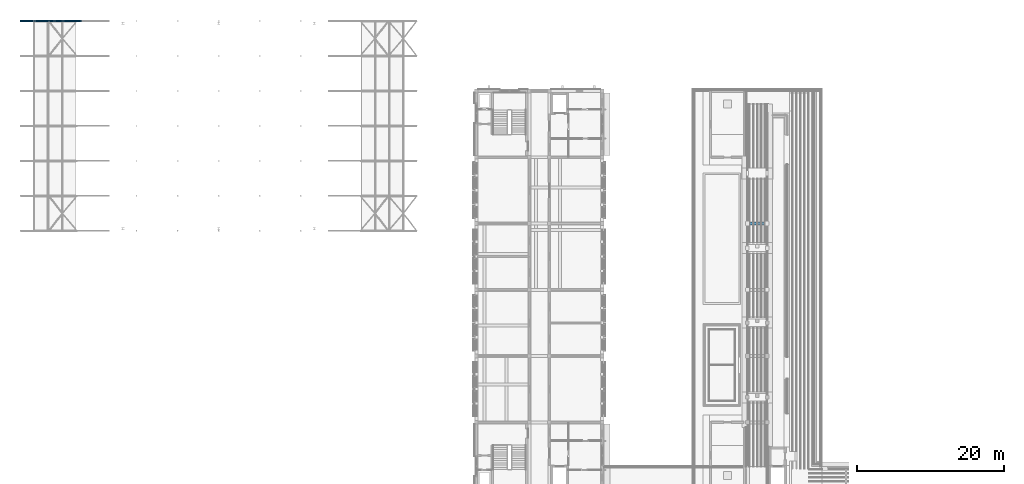
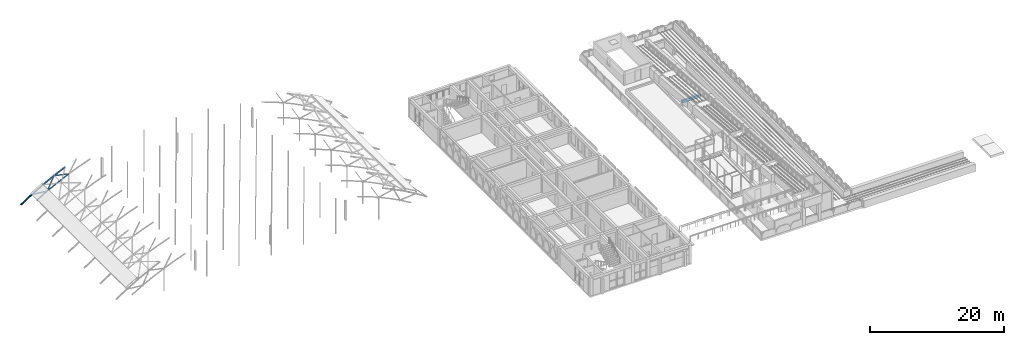
# One storey, part 22 of 50: 10 members, 1 beam.
"""IFC4 building model written with IfcOpenShell, lengths in metres."""

from ifc_helpers import new_model, si_unit, direction, frame, origin, origin_2d, place, context, subcontext, project, spatial, polyline, hollow_circle, outline, extrude, material, material_profile, profile_set, type_object, element, save


model = new_model("IFC4")

# Units and contexts
model_context = context("Model", 3, precision=1e-05, world=origin(), true_north=direction((0.0, 1.0)))
body_context = subcontext(model_context, "Body", "Model", "MODEL_VIEW")
ifc_project = project(units=[si_unit("LENGTHUNIT", "METRE"), si_unit("AREAUNIT", "SQUARE_METRE"), si_unit("VOLUMEUNIT", "CUBIC_METRE"), si_unit("PLANEANGLEUNIT", "RADIAN"), si_unit("MASSUNIT", "GRAM", prefix="KILO")], contexts=[model_context])

# Site, building, storey
site_placement = place(None, origin())
site = spatial("IfcSite", under=ifc_project, at=site_placement, CompositionType="ELEMENT")
building_placement = place(site_placement, origin())
building = spatial("IfcBuilding", under=site, at=building_placement, Name="Elbe Cascade School", CompositionType="ELEMENT")
storey_placement = place(building_placement, frame((0.0, 0.0, 15.300048828125)))
storey = spatial("IfcBuildingStorey", under=building, at=storey_placement, Name="L04", CompositionType="ELEMENT", Elevation=15.300048828125)

# Members
ifc_material_1 = material(Name="Steel S355J2H", Category="steel")
ifc_material_profile_1 = material_profile(ifc_material_1, hollow_circle(Radius=0.109619140625, WallThickness=0.012451171875, at=origin_2d()), Name="CHS 219.1x12.5")
ifc_profile_set_1 = profile_set([ifc_material_profile_1], Name="Steel S355J2H")
member_type_1 = type_object("IfcMemberType", Name="Hall rib bottom chord CHS 219.1x12.5", PredefinedType="CHORD", material=ifc_profile_set_1)
member_1_placement = place(storey_placement, frame((9.857177734375, 69.5, -0.509521484375), z_axis=(0.864836718866, 0.0, 0.502053233931), x_axis=(0.0, 1.0, 0.0)))
element("IfcMember", 1, at=member_1_placement, inside=storey, type_object=member_type_1, Name="Hall rib bottom chord CHS 219.1x12.5 M3", PredefinedType="CHORD", context=body_context, shape_type="SweptSolid", body=[
    extrude(hollow_circle(Radius=0.109619140625, WallThickness=0.012451171875, at=origin_2d()), origin(), (0.0, 0.0, 1.0), 2.1474609375),
])
member_2_placement = place(storey_placement, frame((11.71435546875, 69.5, 0.568603515625), z_axis=(0.886913089016, 0.0, 0.461936329523), x_axis=(0.0, 1.0, 0.0)))
element("IfcMember", 2, at=member_2_placement, inside=storey, type_object=member_type_1, Name="Hall rib bottom chord CHS 219.1x12.5 M3", PredefinedType="CHORD", context=body_context, shape_type="SweptSolid", body=[
    extrude(hollow_circle(Radius=0.109619140625, WallThickness=0.012451171875, at=origin_2d()), origin(), (0.0, 0.0, 1.0), 2.093994140625),
])
member_3_placement = place(storey_placement, frame((13.571533203125, 69.5, 1.535888671875), z_axis=(0.90670626979, 0.0, 0.421762658759), x_axis=(0.0, 1.0, 0.0)))
element("IfcMember", 3, at=member_3_placement, inside=storey, type_object=member_type_1, Name="Hall rib bottom chord CHS 219.1x12.5 M3", PredefinedType="CHORD", context=body_context, shape_type="SweptSolid", body=[
    extrude(hollow_circle(Radius=0.109619140625, WallThickness=0.012451171875, at=origin_2d()), origin(), (0.0, 0.0, 1.0), 2.048095703125),
])
ifc_material_2 = material(Name="Steel S355J2H", Category="steel")
ifc_material_profile_2 = material_profile(ifc_material_2, hollow_circle(Radius=0.136474609375, WallThickness=0.012451171875, at=origin_2d()), Name="CHS 273x12.5")
ifc_profile_set_2 = profile_set([ifc_material_profile_2], Name="Steel S355J2H")
member_type_2 = type_object("IfcMemberType", Name="Hall rib top chord CHS 273x12.5", PredefinedType="CHORD", material=ifc_profile_set_2)
member_4_placement = place(storey_placement, frame((7.1005859375, 69.5, -0.384765625), z_axis=(0.840219764602, 0.0, 0.542246020891), x_axis=(0.0, 1.0, 0.0)))
element("IfcMember", 4, at=member_4_placement, inside=storey, type_object=member_type_2, Name="Hall rib top chord CHS 273x12.5 M2", PredefinedType="CHORD", context=body_context, shape_type="SweptSolid", body=[
    extrude(hollow_circle(Radius=0.136474609375, WallThickness=0.012451171875, at=origin_2d()), origin(), (0.0, 0.0, 1.0), 2.286865234375),
])
member_5_placement = place(storey_placement, frame((9.02197265625, 69.5, 0.855224609375), z_axis=(0.86482126995, 0.0, 0.502079845286), x_axis=(0.0, 1.0, 0.0)))
element("IfcMember", 5, at=member_5_placement, inside=storey, type_object=member_type_2, Name="Hall rib top chord CHS 273x12.5 M2", PredefinedType="CHORD", context=body_context, shape_type="SweptSolid", body=[
    extrude(hollow_circle(Radius=0.136474609375, WallThickness=0.012451171875, at=origin_2d()), origin(), (0.0, 0.0, 1.0), 2.2216796875),
])
member_6_placement = place(storey_placement, frame((10.943359375, 69.5, 1.970703125), z_axis=(0.886958329454, 0.0, 0.461849457954), x_axis=(0.0, 1.0, 0.0)))
element("IfcMember", 6, at=member_6_placement, inside=storey, type_object=member_type_2, Name="Hall rib top chord CHS 273x12.5 M2", PredefinedType="CHORD", context=body_context, shape_type="SweptSolid", body=[
    extrude(hollow_circle(Radius=0.136474609375, WallThickness=0.012451171875, at=origin_2d()), origin(), (0.0, 0.0, 1.0), 2.166259765625),
])
member_7_placement = place(storey_placement, frame((12.86474609375, 69.5, 2.97119140625), z_axis=(0.906697546089, 0.0, 0.421781412482), x_axis=(0.0, 1.0, 0.0)))
element("IfcMember", 7, at=member_7_placement, inside=storey, type_object=member_type_2, Name="Hall rib top chord CHS 273x12.5 M2", PredefinedType="CHORD", context=body_context, shape_type="SweptSolid", body=[
    extrude(hollow_circle(Radius=0.136474609375, WallThickness=0.012451171875, at=origin_2d()), origin(), (0.0, 0.0, 1.0), 2.119140625),
])
ifc_material_3 = material(Name="Steel S355J2H", Category="steel")
ifc_material_profile_3 = material_profile(ifc_material_3, hollow_circle(Radius=0.06982421875, WallThickness=0.008056640625, at=origin_2d()), Name="CHS 139.7x8")
ifc_profile_set_3 = profile_set([ifc_material_profile_3], Name="Steel S355J2H")
member_type_3 = type_object("IfcMemberType", Name="Hall rib web CHS 139.7x8", PredefinedType="BRACE", material=ifc_profile_set_3)
member_8_placement = place(storey_placement, frame((9.02197265625, 69.5, 0.855224609375), z_axis=(0.994381241781, 0.0, -0.1058581409), x_axis=(0.0, 1.0, 0.0)))
element("IfcMember", 8, at=member_8_placement, inside=storey, type_object=member_type_3, Name="Hall rib web CHS 139.7x8 M4", PredefinedType="BRACE", context=body_context, shape_type="SweptSolid", body=[
    extrude(hollow_circle(Radius=0.06982421875, WallThickness=0.008056640625, at=origin_2d()), origin(), (0.0, 0.0, 1.0), 2.70751953125),
])
member_9_placement = place(storey_placement, frame((11.71435546875, 69.5, 0.568603515625), z_axis=(0.431860834408, 0.0, 0.901940252846), x_axis=(0.0, 1.0, 0.0)))
element("IfcMember", 9, at=member_9_placement, inside=storey, type_object=member_type_3, Name="Hall rib web CHS 139.7x8 M4", PredefinedType="BRACE", context=body_context, shape_type="SweptSolid", body=[
    extrude(hollow_circle(Radius=0.06982421875, WallThickness=0.008056640625, at=origin_2d()), origin(), (0.0, 0.0, 1.0), 2.663818359375),
])
member_10_placement = place(storey_placement, frame((12.86474609375, 69.5, 2.97119140625), z_axis=(0.976040308699, 0.0, -0.217589787893), x_axis=(0.0, 1.0, 0.0)))
element("IfcMember", 10, at=member_10_placement, inside=storey, type_object=member_type_3, Name="Hall rib web CHS 139.7x8 M4", PredefinedType="BRACE", context=body_context, shape_type="SweptSolid", body=[
    extrude(hollow_circle(Radius=0.06982421875, WallThickness=0.008056640625, at=origin_2d()), origin(), (0.0, 0.0, 1.0), 2.626708984375),
])

# Beam
ifc_material_4 = material(Name="Concrete C30/37", Category="concrete")
ifc_material_profile_4 = material_profile(ifc_material_4, outline(polyline([(-0.199951171875, 0.0), (0.199951171875, 0.0), (0.199951171875, 0.433349609375), (-0.199951171875, 0.466552734375), (-0.199951171875, 0.0)])), Name="RC cross-beam 400x450 sloped top")
ifc_profile_set_4 = profile_set([ifc_material_profile_4], Name="Concrete C30/37")
beam_type = type_object("IfcBeamType", Name="RC 400x450 sloped cross-beam", PredefinedType="BEAM", material=ifc_profile_set_4)
beam_placement = place(storey_placement, frame((105.550048828125, 42.0, 0.534912109375), z_axis=(1.0, 0.0, 0.0), x_axis=(0.0, 1.0, 0.0)))
element("IfcBeam", 11, at=beam_placement, inside=storey, type_object=beam_type, Name="RC 400x450 sloped cross-beam B25", PredefinedType="BEAM", context=body_context, shape_type="SweptSolid", body=[
    extrude(outline(polyline([(-0.199951171875, 0.0), (0.199951171875, 0.0), (0.199951171875, 0.433349609375), (-0.199951171875, 0.466552734375), (-0.199951171875, 0.0)])), origin(), (0.0, 0.0, 1.0), 3.199951171875),
])

save(model, "model.ifc")
